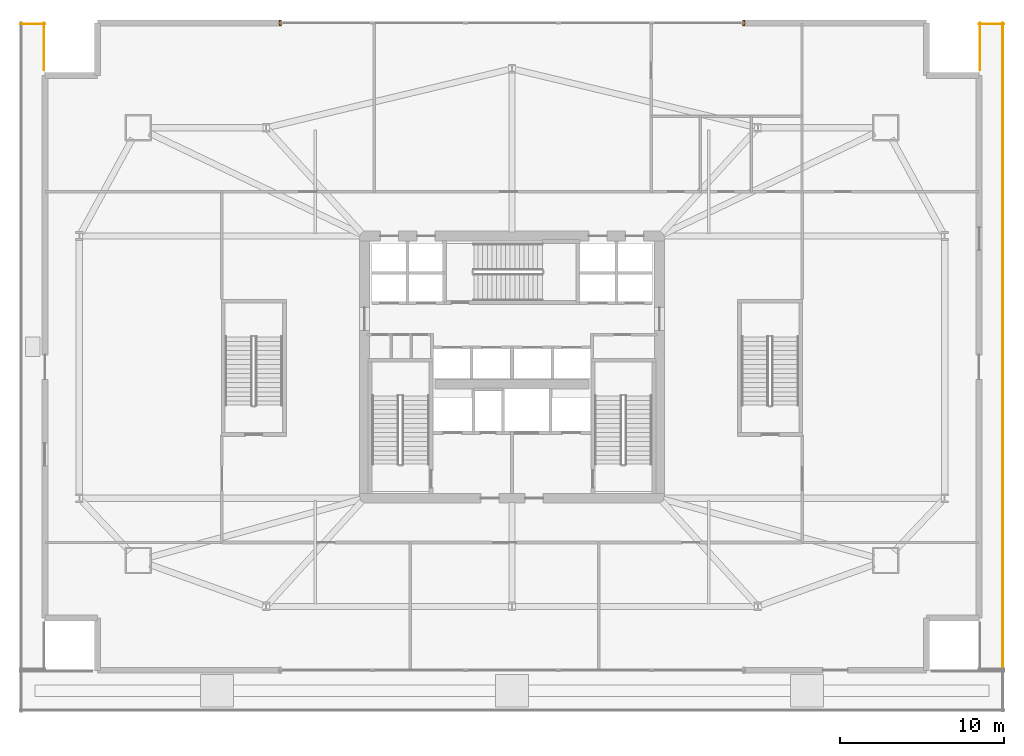
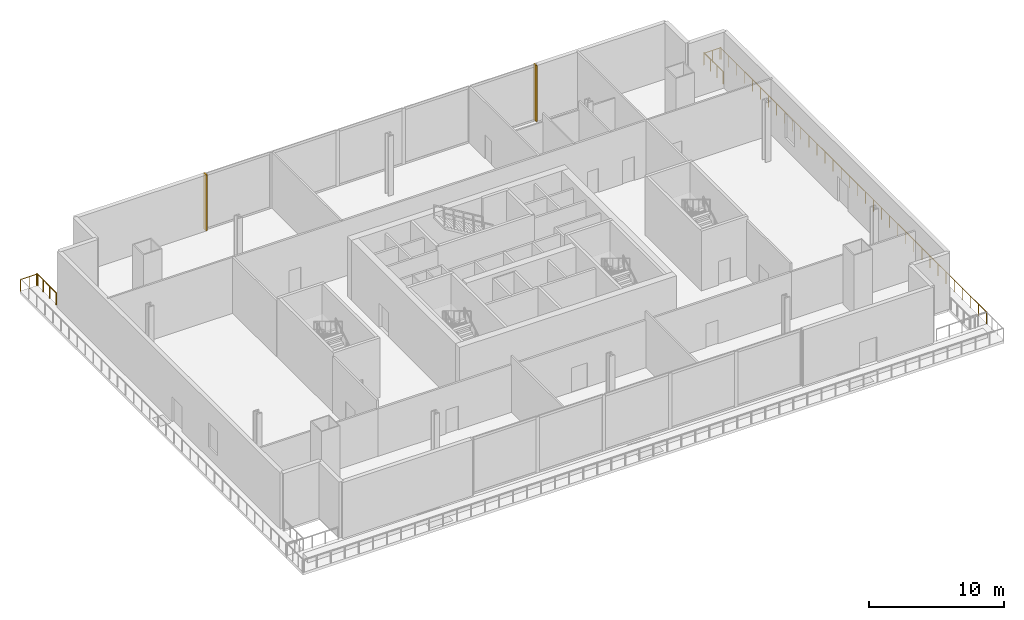
# One storey, part 20 of 20: 5 railings, 2 coverings.
"""IFC4 building model written with IfcOpenShell, lengths in metres."""

import ifcopenshell
import ifcopenshell.guid

model = None  # the IFC model being written
_history = None  # IfcOwnerHistory: only IFC2X3 demands one
_inside = {}  # id of a spatial element -> (the spatial element, [elements in it])
_under = {}  # id of a project, library or spatial element -> (it, [spatial elements below it])
_declared = {}  # id of a project -> (the project, [libraries it declares])
_typed = {}  # id of a type object -> (the type object, [elements of that type])
_made_of = {}  # id of a material, layer set ... -> (it, [elements and type objects made of it])


def new_model(schema):
    """Start an empty IFC model of exactly this schema.

    Asked for "IFC4X3", IfcOpenShell would pick the latest addendum, in which some entities
    have other attributes; the version numbers below select the first issue.
    IFC2X3 requires an IfcOwnerHistory on every rooted entity: one is made here for all.
    """
    global model, _history
    if schema == "IFC4X3":
        model = ifcopenshell.file(schema_version=(4, 3, 0, 0))
    else:
        model = ifcopenshell.file(schema=schema)
    _inside.clear()
    _under.clear()
    _declared.clear()
    _typed.clear()
    _made_of.clear()
    _history = None
    if model.schema == "IFC2X3":
        org = make("IfcOrganization", Name="unknown")
        user = make(
            "IfcPersonAndOrganization",
            ThePerson=make("IfcPerson", FamilyName="unknown"),
            TheOrganization=org,
        )
        app = make(
            "IfcApplication",
            ApplicationDeveloper=org,
            Version="unknown",
            ApplicationFullName="unknown",
            ApplicationIdentifier="unknown",
        )
        _history = make(
            "IfcOwnerHistory",
            OwningUser=user,
            OwningApplication=app,
            ChangeAction="ADDED",
            CreationDate=0,
        )
    return model


def make(cls, **values):
    """One entity of the class cls with the attributes given. An attribute that is None is left unset."""
    return model.create_entity(
        cls, **{name: value for name, value in values.items() if value is not None}
    )


def rooted(cls, **values):
    """An entity with a GlobalId (a new one), such as an element, a storey or a relation."""
    return make(cls, GlobalId=ifcopenshell.guid.new(), OwnerHistory=_history, **values)


def si_unit(unit_type, name, prefix=None):
    """IfcSIUnit, for example si_unit("LENGTHUNIT", "METRE", prefix="MILLI")."""
    return make("IfcSIUnit", UnitType=unit_type, Prefix=prefix, Name=name)


def assignment(units):
    """IfcUnitAssignment: the units of a project."""
    return None if units is None else make("IfcUnitAssignment", Units=units)


def point(xyz):
    """IfcCartesianPoint."""
    return None if xyz is None else make("IfcCartesianPoint", Coordinates=xyz)


def direction(xyz):
    """IfcDirection."""
    return None if xyz is None else make("IfcDirection", DirectionRatios=xyz)


def frame(location, z_axis=None, x_axis=None):
    """IfcAxis2Placement3D, a coordinate frame: its origin and axes. An axis left out is left unset."""
    return make(
        "IfcAxis2Placement3D",
        Location=point(location),
        Axis=direction(z_axis),
        RefDirection=direction(x_axis),
    )


def frame_2d(location, x_axis=None):
    """IfcAxis2Placement2D, a coordinate frame in the plane: its origin and x axis."""
    return make(
        "IfcAxis2Placement2D", Location=point(location), RefDirection=direction(x_axis)
    )


def origin():
    """The frame at (0, 0, 0) with its axes left unset."""
    return frame((0.0, 0.0, 0.0))


def origin_2d():
    """The frame at (0, 0) in the plane with its x axis left unset."""
    return frame_2d((0.0, 0.0))


def place(relative_to, where):
    """IfcLocalPlacement: puts the frame where relative to a parent placement (None: the world)."""
    return make(
        "IfcLocalPlacement", PlacementRelTo=relative_to, RelativePlacement=where
    )


def context(
    kind, dimensions, precision=None, world=None, true_north=None, identifier=None
):
    """IfcGeometricRepresentationContext, for example the 3D "Model" context."""
    return make(
        "IfcGeometricRepresentationContext",
        ContextIdentifier=identifier,
        ContextType=kind,
        CoordinateSpaceDimension=dimensions,
        Precision=precision,
        WorldCoordinateSystem=world,
        TrueNorth=true_north,
    )


def subcontext(parent, identifier, kind, view, scale=None):
    """IfcGeometricRepresentationSubContext, for example "Body" below "Model"."""
    return make(
        "IfcGeometricRepresentationSubContext",
        ContextIdentifier=identifier,
        ContextType=kind,
        ParentContext=parent,
        TargetScale=scale,
        TargetView=view,
    )


def project(units=None, contexts=None):
    """IfcProject with its units and contexts."""
    return rooted(
        "IfcProject",
        Name="project",
        RepresentationContexts=contexts,
        UnitsInContext=assignment(units),
    )


def spatial(cls, under=None, at=None, **own):
    """A site, building, storey or space (cls), placed at a placement, below another one or the project."""
    s = rooted(cls, ObjectPlacement=at, **own)
    if under is not None:
        _under.setdefault(under.id(), (under, []))[1].append(s)
    return s


def profile(cls, at=None, kind="AREA", **sizes):
    """A parametric profile (cls). Its sizes go by their IFC names, for example OverallWidth=200.0."""
    return make(cls, ProfileType=kind, Position=at, **sizes)


def rectangle(**sizes):
    """IfcRectangleProfileDef."""
    return profile("IfcRectangleProfileDef", **sizes)


def extrude(swept, where, along, depth):
    """IfcExtrudedAreaSolid: the profile swept, set in the frame where, extruded along a direction by depth."""
    return make(
        "IfcExtrudedAreaSolid",
        SweptArea=swept,
        Position=where,
        ExtrudedDirection=direction(along),
        Depth=depth,
    )


def shape(context_of_items, identifier, shape_type, items):
    """IfcShapeRepresentation: the items that make up one representation, for example the "Body"."""
    return make(
        "IfcShapeRepresentation",
        ContextOfItems=context_of_items,
        RepresentationIdentifier=identifier,
        RepresentationType=shape_type,
        Items=items,
    )


def source(mapping_origin, context_of_items, identifier, shape_type, items):
    """IfcRepresentationMap: a shape defined once, which mapped items show again and again."""
    return make(
        "IfcRepresentationMap",
        MappingOrigin=mapping_origin,
        MappedRepresentation=shape(context_of_items, identifier, shape_type, items),
    )


def transform(
    local_origin,
    x_axis=None,
    y_axis=None,
    z_axis=None,
    scale=None,
    scale2=None,
    scale3=None,
    uniform=True,
):
    """IfcCartesianTransformationOperator3D, or its non-uniform kind. x_axis, y_axis, z_axis: its Axis1, 2, 3."""
    if uniform:
        return make(
            "IfcCartesianTransformationOperator3D",
            Axis1=direction(x_axis),
            Axis2=direction(y_axis),
            LocalOrigin=point(local_origin),
            Scale=scale,
            Axis3=direction(z_axis),
        )
    return make(
        "IfcCartesianTransformationOperator3DnonUniform",
        Axis1=direction(x_axis),
        Axis2=direction(y_axis),
        LocalOrigin=point(local_origin),
        Scale=scale,
        Axis3=direction(z_axis),
        Scale2=scale2,
        Scale3=scale3,
    )


def mapped(mapping_source, mapping_target):
    """IfcMappedItem: shows the shape of a source again, moved by a transform."""
    return make(
        "IfcMappedItem", MappingSource=mapping_source, MappingTarget=mapping_target
    )


def material(Name=None, Category=None):
    """IfcMaterial."""
    return make("IfcMaterial", Name=Name, Category=Category)


def layer(
    of_material, thickness, ventilated=None, Name=None, Category=None, Priority=None
):
    """IfcMaterialLayer: one layer of a wall or slab, of a material (None: an air gap)."""
    return make(
        "IfcMaterialLayer",
        Material=of_material,
        LayerThickness=thickness,
        IsVentilated=ventilated,
        Name=Name,
        Category=Category,
        Priority=Priority,
    )


def layer_set(layers, Name=None):
    """IfcMaterialLayerSet."""
    return make("IfcMaterialLayerSet", MaterialLayers=layers, LayerSetName=Name)


def made_of(thing, what):
    """Note that an element or type object is made of a material, layer set ...; save() writes the relation."""
    if what is not None:
        _made_of.setdefault(what.id(), (what, []))[1].append(thing)
    return thing


def type_object(cls, material=None, **own):
    """A type object (cls), such as IfcWallType, which elements share."""
    return made_of(rooted(cls, **own), material)


def element(
    cls,
    number,
    at=None,
    inside=None,
    cuts=None,
    type_object=None,
    material=None,
    context=None,
    identifier="Body",
    shape_type=None,
    held_by="IfcProductDefinitionShape",
    body=None,
    shapes=None,
    **own,
):
    """One element of the class cls, such as IfcWall. Its Tag is "e" and its number.

    at: its placement. inside: the storey or other place that contains it. cuts: it is an
    opening in that element (IfcRelVoidsElement). A single representation is given by context,
    identifier, shape_type and body (its items); several are given by shapes. held_by: the class
    of the entity that holds the representations. save() writes the other relations.
    """
    e = rooted(cls, Tag="e%d" % number, ObjectPlacement=at, **own)
    if body is not None:
        shapes = [shape(context, identifier, shape_type, body)]
    if shapes is not None:
        e.Representation = make(held_by, Representations=shapes)
    if inside is not None:
        _inside.setdefault(inside.id(), (inside, []))[1].append(e)
    if cuts is not None:
        rooted(
            "IfcRelVoidsElement", RelatingBuildingElement=cuts, RelatedOpeningElement=e
        )
    if type_object is not None:
        _typed.setdefault(type_object.id(), (type_object, []))[1].append(e)
    return made_of(e, material)


def aggregate(whole, parts):
    """IfcRelAggregates: a whole, such as a stair, and the parts it consists of."""
    return rooted("IfcRelAggregates", RelatingObject=whole, RelatedObjects=parts)


def save(model, path):
    """Write the relations noted so far, then the file.

    IfcRelAggregates (storeys below a building ...), IfcRelContainedInSpatialStructure (elements
    in a storey), IfcRelDefinesByType, IfcRelAssociatesMaterial and IfcRelDeclares: one each for
    every whole, place, type object, material and project.
    """
    for whole, parts in _under.values():
        aggregate(whole, parts)
    for where, things in _inside.values():
        rooted(
            "IfcRelContainedInSpatialStructure",
            RelatedElements=things,
            RelatingStructure=where,
        )
    for kind, things in _typed.values():
        rooted("IfcRelDefinesByType", RelatedObjects=things, RelatingType=kind)
    for what, things in _made_of.values():
        rooted("IfcRelAssociatesMaterial", RelatedObjects=things, RelatingMaterial=what)
    for by, libraries in _declared.values():
        rooted("IfcRelDeclares", RelatingContext=by, RelatedDefinitions=libraries)
    model.write(path)


model = new_model("IFC4")

# Units and contexts
model_context = context("Model", 3, precision=1e-05, world=origin(), true_north=direction((0.0, 1.0)))
body_context = subcontext(model_context, "Body", "Model", "MODEL_VIEW")
ifc_project = project(units=[si_unit("LENGTHUNIT", "METRE"), si_unit("AREAUNIT", "SQUARE_METRE"), si_unit("VOLUMEUNIT", "CUBIC_METRE"), si_unit("PLANEANGLEUNIT", "RADIAN"), si_unit("MASSUNIT", "GRAM", prefix="KILO")], contexts=[model_context])

# Site, building, storey
site_placement = place(None, origin())
site = spatial("IfcSite", under=ifc_project, at=site_placement, CompositionType="ELEMENT")
building_placement = place(site_placement, origin())
building = spatial("IfcBuilding", under=site, at=building_placement, Name="Haldenkirk Collegiate Tower", CompositionType="ELEMENT")
storey_placement = place(building_placement, frame((0.0, 0.0, 11.39990234375)))
storey = spatial("IfcBuildingStorey", under=building, at=storey_placement, Name="L02", CompositionType="ELEMENT", Elevation=11.39990234375)

# Railings
ifc_material = material(Name="Anodised architectural bronze aluminium", Category="aluminium")
railing_type = type_object("IfcRailingType", Name="RLG-TERR-BALUSTRADE-1100", PredefinedType="BALUSTRADE", material=ifc_material)
railing_1_placement = place(storey_placement, frame((7.43994140625, 44.1201171875, 0.0)))
element("IfcRailing", 1, at=railing_1_placement, inside=storey, type_object=railing_type, Name="L02 terrace guard balustrade 2-2", PredefinedType="BALUSTRADE", context=body_context, shape_type="SweptSolid", body=[
    extrude(rectangle(XDim=0.048095703125, YDim=0.048095703125, at=origin_2d()), frame((0.0, 0.0, 1.076171875), z_axis=(0.0, 1.0, 0.0), x_axis=(-1.0, 0.0, 0.0)), (0.0, 0.0, 1.0), 2.8798828125),
    extrude(rectangle(XDim=0.0419921875, YDim=0.0419921875, at=origin_2d()), origin(), (0.0, 0.0, 1.0), 1.052001953125),
    extrude(rectangle(XDim=0.0419921875, YDim=0.0419921875, at=origin_2d()), frame((0.0, 0.9599609375, 0.0)), (0.0, 0.0, 1.0), 1.052001953125),
    extrude(rectangle(XDim=0.0419921875, YDim=0.0419921875, at=origin_2d()), frame((0.0, 1.919921875, 0.0)), (0.0, 0.0, 1.0), 1.052001953125),
    extrude(rectangle(XDim=0.0419921875, YDim=0.0419921875, at=origin_2d()), frame((0.0, 2.8798828125, 0.0)), (0.0, 0.0, 1.0), 1.052001953125),
])
railing_2_placement = place(storey_placement, frame((7.5, 46.93994140625, 0.0)))
element("IfcRailing", 2, at=railing_2_placement, inside=storey, type_object=railing_type, Name="L02 terrace guard balustrade 3-1", PredefinedType="BALUSTRADE", context=body_context, shape_type="SweptSolid", body=[
    extrude(rectangle(XDim=0.048095703125, YDim=0.048095703125, at=origin_2d()), frame((0.0, 0.0, 1.076171875), z_axis=(-1.0, 0.0, 0.0), x_axis=(0.0, -1.0, 0.0)), (0.0, 0.0, 1.0), 1.5),
    extrude(rectangle(XDim=0.0419921875, YDim=0.0419921875, at=origin_2d()), origin(), (0.0, 0.0, 1.0), 1.052001953125),
    extrude(rectangle(XDim=0.0419921875, YDim=0.0419921875, at=origin_2d()), frame((-0.75, 0.0, 0.0)), (0.0, 0.0, 1.0), 1.052001953125),
    extrude(rectangle(XDim=0.0419921875, YDim=0.0419921875, at=origin_2d()), frame((-1.5, 0.0, 0.0)), (0.0, 0.0, 1.0), 1.052001953125),
])
railing_3_placement = place(storey_placement, frame((65.93994140625, 7.5, 0.0)))
element("IfcRailing", 3, at=railing_3_placement, inside=storey, type_object=railing_type, Name="L02 terrace guard balustrade 2-1", PredefinedType="BALUSTRADE", context=body_context, shape_type="SweptSolid", body=[
    extrude(rectangle(XDim=0.048095703125, YDim=0.048095703125, at=origin_2d()), frame((0.0, 0.0, 1.076171875), z_axis=(0.0, 1.0, 0.0), x_axis=(-1.0, 0.0, 0.0)), (0.0, 0.0, 1.0), 39.5),
    extrude(rectangle(XDim=0.0419921875, YDim=0.0419921875, at=origin_2d()), origin(), (0.0, 0.0, 1.0), 1.052001953125),
    extrude(rectangle(XDim=0.0419921875, YDim=0.0419921875, at=origin_2d()), frame((0.0, 1.197021484375, 0.0)), (0.0, 0.0, 1.0), 1.052001953125),
    extrude(rectangle(XDim=0.0419921875, YDim=0.0419921875, at=origin_2d()), frame((0.0, 2.39404296875, 0.0)), (0.0, 0.0, 1.0), 1.052001953125),
    extrude(rectangle(XDim=0.0419921875, YDim=0.0419921875, at=origin_2d()), frame((0.0, 3.5908203125, 0.0)), (0.0, 0.0, 1.0), 1.052001953125),
    extrude(rectangle(XDim=0.0419921875, YDim=0.0419921875, at=origin_2d()), frame((0.0, 4.787841796875, 0.0)), (0.0, 0.0, 1.0), 1.052001953125),
    extrude(rectangle(XDim=0.0419921875, YDim=0.0419921875, at=origin_2d()), frame((0.0, 5.98486328125, 0.0)), (0.0, 0.0, 1.0), 1.052001953125),
    extrude(rectangle(XDim=0.0419921875, YDim=0.0419921875, at=origin_2d()), frame((0.0, 7.181884765625, 0.0)), (0.0, 0.0, 1.0), 1.052001953125),
    extrude(rectangle(XDim=0.0419921875, YDim=0.0419921875, at=origin_2d()), frame((0.0, 8.37890625, 0.0)), (0.0, 0.0, 1.0), 1.052001953125),
    extrude(rectangle(XDim=0.0419921875, YDim=0.0419921875, at=origin_2d()), frame((0.0, 9.57568359375, 0.0)), (0.0, 0.0, 1.0), 1.052001953125),
    extrude(rectangle(XDim=0.0419921875, YDim=0.0419921875, at=origin_2d()), frame((0.0, 10.772705078125, 0.0)), (0.0, 0.0, 1.0), 1.052001953125),
    extrude(rectangle(XDim=0.0419921875, YDim=0.0419921875, at=origin_2d()), frame((0.0, 11.9697265625, 0.0)), (0.0, 0.0, 1.0), 1.052001953125),
    extrude(rectangle(XDim=0.0419921875, YDim=0.0419921875, at=origin_2d()), frame((0.0, 13.166748046875, 0.0)), (0.0, 0.0, 1.0), 1.052001953125),
    extrude(rectangle(XDim=0.0419921875, YDim=0.0419921875, at=origin_2d()), frame((0.0, 14.363525390625, 0.0)), (0.0, 0.0, 1.0), 1.052001953125),
    extrude(rectangle(XDim=0.0419921875, YDim=0.0419921875, at=origin_2d()), frame((0.0, 15.560546875, 0.0)), (0.0, 0.0, 1.0), 1.052001953125),
    extrude(rectangle(XDim=0.0419921875, YDim=0.0419921875, at=origin_2d()), frame((0.0, 16.757568359375, 0.0)), (0.0, 0.0, 1.0), 1.052001953125),
    extrude(rectangle(XDim=0.0419921875, YDim=0.0419921875, at=origin_2d()), frame((0.0, 17.95458984375, 0.0)), (0.0, 0.0, 1.0), 1.052001953125),
    extrude(rectangle(XDim=0.0419921875, YDim=0.0419921875, at=origin_2d()), frame((0.0, 19.151611328125, 0.0)), (0.0, 0.0, 1.0), 1.052001953125),
    extrude(rectangle(XDim=0.0419921875, YDim=0.0419921875, at=origin_2d()), frame((0.0, 20.348388671875, 0.0)), (0.0, 0.0, 1.0), 1.052001953125),
    extrude(rectangle(XDim=0.0419921875, YDim=0.0419921875, at=origin_2d()), frame((0.0, 21.54541015625, 0.0)), (0.0, 0.0, 1.0), 1.052001953125),
    extrude(rectangle(XDim=0.0419921875, YDim=0.0419921875, at=origin_2d()), frame((0.0, 22.742431640625, 0.0)), (0.0, 0.0, 1.0), 1.052001953125),
    extrude(rectangle(XDim=0.0419921875, YDim=0.0419921875, at=origin_2d()), frame((0.0, 23.939453125, 0.0)), (0.0, 0.0, 1.0), 1.052001953125),
    extrude(rectangle(XDim=0.0419921875, YDim=0.0419921875, at=origin_2d()), frame((0.0, 25.136474609375, 0.0)), (0.0, 0.0, 1.0), 1.052001953125),
    extrude(rectangle(XDim=0.0419921875, YDim=0.0419921875, at=origin_2d()), frame((0.0, 26.333251953125, 0.0)), (0.0, 0.0, 1.0), 1.052001953125),
    extrude(rectangle(XDim=0.0419921875, YDim=0.0419921875, at=origin_2d()), frame((0.0, 27.5302734375, 0.0)), (0.0, 0.0, 1.0), 1.052001953125),
    extrude(rectangle(XDim=0.0419921875, YDim=0.0419921875, at=origin_2d()), frame((0.0, 28.727294921875, 0.0)), (0.0, 0.0, 1.0), 1.052001953125),
    extrude(rectangle(XDim=0.0419921875, YDim=0.0419921875, at=origin_2d()), frame((0.0, 29.92431640625, 0.0)), (0.0, 0.0, 1.0), 1.052001953125),
    extrude(rectangle(XDim=0.0419921875, YDim=0.0419921875, at=origin_2d()), frame((0.0, 31.12109375, 0.0)), (0.0, 0.0, 1.0), 1.052001953125),
    extrude(rectangle(XDim=0.0419921875, YDim=0.0419921875, at=origin_2d()), frame((0.0, 32.318115234375, 0.0)), (0.0, 0.0, 1.0), 1.052001953125),
    extrude(rectangle(XDim=0.0419921875, YDim=0.0419921875, at=origin_2d()), frame((0.0, 33.51513671875, 0.0)), (0.0, 0.0, 1.0), 1.052001953125),
    extrude(rectangle(XDim=0.0419921875, YDim=0.0419921875, at=origin_2d()), frame((0.0, 34.712158203125, 0.0)), (0.0, 0.0, 1.0), 1.052001953125),
    extrude(rectangle(XDim=0.0419921875, YDim=0.0419921875, at=origin_2d()), frame((0.0, 35.9091796875, 0.0)), (0.0, 0.0, 1.0), 1.052001953125),
    extrude(rectangle(XDim=0.0419921875, YDim=0.0419921875, at=origin_2d()), frame((0.0, 37.10595703125, 0.0)), (0.0, 0.0, 1.0), 1.052001953125),
    extrude(rectangle(XDim=0.0419921875, YDim=0.0419921875, at=origin_2d()), frame((0.0, 38.302978515625, 0.0)), (0.0, 0.0, 1.0), 1.052001953125),
    extrude(rectangle(XDim=0.0419921875, YDim=0.0419921875, at=origin_2d()), frame((0.0, 39.5, 0.0)), (0.0, 0.0, 1.0), 1.052001953125),
])
railing_4_placement = place(storey_placement, frame((66.0, 46.93994140625, 0.0)))
element("IfcRailing", 4, at=railing_4_placement, inside=storey, type_object=railing_type, Name="L02 terrace guard balustrade 3-1", PredefinedType="BALUSTRADE", context=body_context, shape_type="SweptSolid", body=[
    extrude(rectangle(XDim=0.048095703125, YDim=0.048095703125, at=origin_2d()), frame((0.0, 0.0, 1.076171875), z_axis=(-1.0, 0.0, 0.0), x_axis=(0.0, -1.0, 0.0)), (0.0, 0.0, 1.0), 1.5),
    extrude(rectangle(XDim=0.0419921875, YDim=0.0419921875, at=origin_2d()), origin(), (0.0, 0.0, 1.0), 1.052001953125),
    extrude(rectangle(XDim=0.0419921875, YDim=0.0419921875, at=origin_2d()), frame((-0.75, 0.0, 0.0)), (0.0, 0.0, 1.0), 1.052001953125),
    extrude(rectangle(XDim=0.0419921875, YDim=0.0419921875, at=origin_2d()), frame((-1.5, 0.0, 0.0)), (0.0, 0.0, 1.0), 1.052001953125),
])
railing_5_placement = place(storey_placement, frame((64.56005859375, 47.0, 0.0)))
element("IfcRailing", 5, at=railing_5_placement, inside=storey, type_object=railing_type, Name="L02 terrace guard balustrade 4-1", PredefinedType="BALUSTRADE", context=body_context, shape_type="SweptSolid", body=[
    extrude(rectangle(XDim=0.048095703125, YDim=0.048095703125, at=origin_2d()), frame((0.0, 0.0, 1.076171875), z_axis=(0.0, -1.0, 0.0), x_axis=(1.0, 0.0, 0.0)), (0.0, 0.0, 1.0), 2.8798828125),
    extrude(rectangle(XDim=0.0419921875, YDim=0.0419921875, at=origin_2d()), origin(), (0.0, 0.0, 1.0), 1.052001953125),
    extrude(rectangle(XDim=0.0419921875, YDim=0.0419921875, at=origin_2d()), frame((0.0, -0.9599609375, 0.0)), (0.0, 0.0, 1.0), 1.052001953125),
    extrude(rectangle(XDim=0.0419921875, YDim=0.0419921875, at=origin_2d()), frame((0.0, -1.919921875, 0.0)), (0.0, 0.0, 1.0), 1.052001953125),
    extrude(rectangle(XDim=0.0419921875, YDim=0.0419921875, at=origin_2d()), frame((0.0, -2.8798828125, 0.0)), (0.0, 0.0, 1.0), 1.052001953125),
])

# Coverings
ifc_layer = layer(ifc_material, 0.06005859375)
ifc_layer_set = layer_set([ifc_layer], Name="Anodised architectural bronze aluminium")
covering_type = type_object("IfcCoveringType", Name="COV-CLAD-BRONZE-60", PredefinedType="CLADDING", material=ifc_layer_set)
shared_shape = source(origin(), body_context, "Body", "SweptSolid", [
    extrude(rectangle(XDim=0.1201171875, YDim=0.360107421875, at=origin_2d()), origin(), (0.0, 0.0, 1.0), 5.070068359375),
])
for number, where, z_axis, x_axis, name in (
    (6, (21.8720703125, 47.0, 0.0), (0.0, 0.0, 1.0), (1.0, 0.0, 0.0), "L02 podium curtain-wall bronze jamb closure 7JL"),
    (7, (50.1279296875, 47.0, 0.0), (0.0, 0.0, 1.0), (1.0, 0.0, 0.0), "L02 podium curtain-wall bronze jamb closure 7JR"),
):
    element("IfcCovering", number, at=place(storey_placement, frame(where, z_axis=z_axis, x_axis=x_axis)), inside=storey, type_object=covering_type, Name=name, PredefinedType="CLADDING", context=body_context, shape_type="MappedRepresentation", body=[
        mapped(shared_shape, transform((0.0, 0.0, 0.0), x_axis=(1.0, 0.0, 0.0), y_axis=(0.0, 1.0, 0.0), z_axis=(0.0, 0.0, 1.0), scale=1.0)),
    ])

save(model, "model.ifc")
